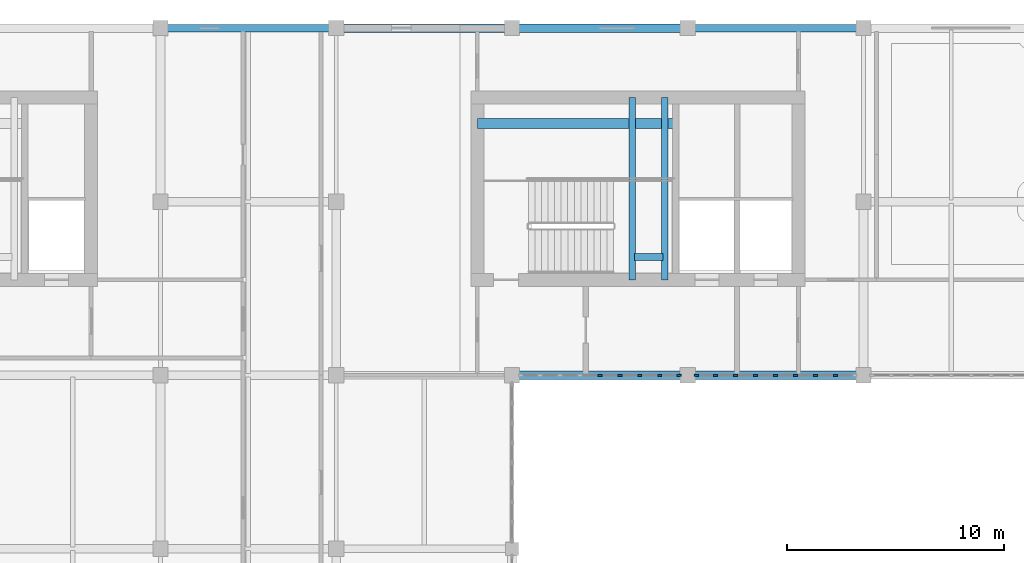
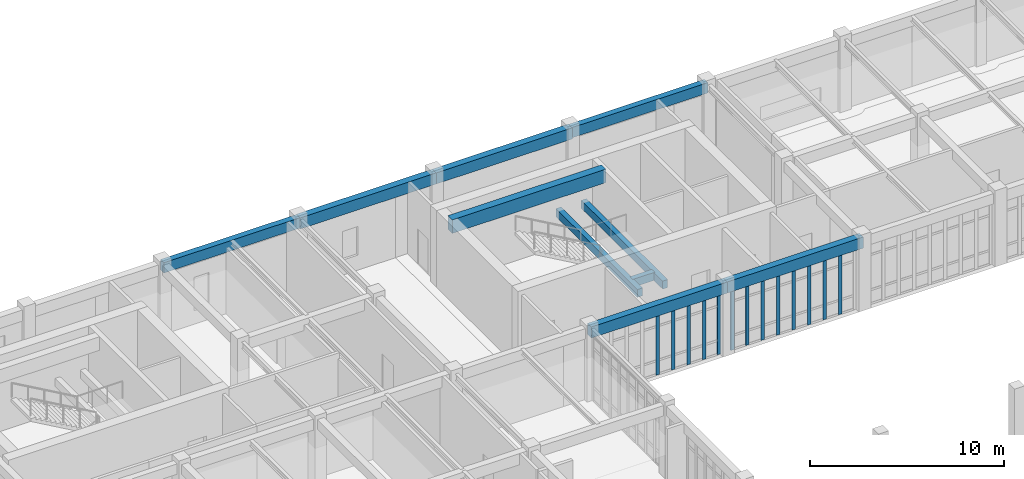
# One storey, part 14 of 61: 13 members, 10 beams, 2 elements without a shape of their own.
"""IFC4 building model written with IfcOpenShell, lengths in metres."""

from ifc_helpers import new_model, si_unit, direction, frame, origin, origin_2d, place, context, subcontext, project, spatial, rectangle, extrude, material, material_profile, profile_set, type_object, element, aggregate, save


model = new_model("IFC4")

# Units and contexts
model_context = context("Model", 3, precision=1e-05, world=origin(), true_north=direction((0.0, 1.0)))
body_context = subcontext(model_context, "Body", "Model", "MODEL_VIEW")
ifc_project = project(units=[si_unit("LENGTHUNIT", "METRE"), si_unit("AREAUNIT", "SQUARE_METRE"), si_unit("VOLUMEUNIT", "CUBIC_METRE"), si_unit("PLANEANGLEUNIT", "RADIAN"), si_unit("MASSUNIT", "GRAM", prefix="KILO")], contexts=[model_context])

# Site, building, storey
site_placement = place(None, origin())
site = spatial("IfcSite", under=ifc_project, at=site_placement, CompositionType="ELEMENT")
building_placement = place(site_placement, origin())
building = spatial("IfcBuilding", under=site, at=building_placement, Name="Tarnveldt Square Police Headquarters", CompositionType="ELEMENT")
storey_placement = place(building_placement, frame((0.0, 0.0, 5.39990234375)))
storey = spatial("IfcBuildingStorey", under=building, at=storey_placement, Name="L01", CompositionType="ELEMENT", Elevation=5.39990234375)

# Beams
ifc_material_1 = material(Name="Concrete 50 MPa", Category="concrete")
ifc_material_profile_1 = material_profile(ifc_material_1, rectangle(XDim=0.449951171875, YDim=0.85009765625, at=origin_2d()), Name="RC-CB450x850")
ifc_profile_set_1 = profile_set([ifc_material_profile_1], Name="Concrete 50 MPa")
beam_type_1 = type_object("IfcBeamType", Name="BM-CB450x850", PredefinedType="BEAM", material=ifc_profile_set_1)
beam_1_placement = place(storey_placement, frame((47.0, 107.60009765625, 4.375), z_axis=(1.0, 0.0, 0.0), x_axis=(0.0, 1.0, 0.0)))
element("IfcBeam", 1, at=beam_1_placement, inside=storey, type_object=beam_type_1, Name="Core K3 North-Central Forensic and Firefighting Core L01 Ductile Coupling Beam", PredefinedType="BEAM", context=body_context, shape_type="SweptSolid", body=[
    extrude(rectangle(XDim=0.449951171875, YDim=0.85009765625, at=origin_2d()), origin(), (0.0, 0.0, 1.0), 9.14990234375),
])
ifc_material_2 = material(Name="Concrete 40 MPa", Category="concrete")
ifc_material_profile_2 = material_profile(ifc_material_2, rectangle(XDim=0.300048828125, YDim=0.5, at=origin_2d()), Name="RC-B300x500")
ifc_profile_set_2 = profile_set([ifc_material_profile_2], Name="Concrete 40 MPa")
beam_type_2 = type_object("IfcBeamType", Name="BM-RC300x500", PredefinedType="BEAM", material=ifc_profile_set_2)
beam_2_placement = place(storey_placement, frame((54.14990234375, 100.39990234375, 1.9501953125), z_axis=(0.0, 1.0, 0.0), x_axis=(-1.0, 0.0, 0.0)))
element("IfcBeam", 2, at=beam_2_placement, inside=storey, type_object=beam_type_2, Name="ST3 L01 Half-Landing Support Beam 1", PredefinedType="BEAM", context=body_context, shape_type="SweptSolid", body=[
    extrude(rectangle(XDim=0.300048828125, YDim=0.5, at=origin_2d()), origin(), (0.0, 0.0, 1.0), 8.400146484375),
])
beam_3_placement = place(storey_placement, frame((54.25, 101.449951171875, 1.9501953125), z_axis=(1.0, 0.0, 0.0), x_axis=(0.0, 1.0, 0.0)))
element("IfcBeam", 3, at=beam_3_placement, inside=storey, type_object=beam_type_2, Name="ST3 L01 Half-Landing Support Beam 2", PredefinedType="BEAM", context=body_context, shape_type="SweptSolid", body=[
    extrude(rectangle(XDim=0.300048828125, YDim=0.5, at=origin_2d()), origin(), (0.0, 0.0, 1.0), 1.300048828125),
])
beam_4_placement = place(storey_placement, frame((55.64990234375, 100.39990234375, 1.9501953125), z_axis=(0.0, 1.0, 0.0), x_axis=(-1.0, 0.0, 0.0)))
element("IfcBeam", 4, at=beam_4_placement, inside=storey, type_object=beam_type_2, Name="ST3 L01 Half-Landing Transverse Support Beam", PredefinedType="BEAM", context=body_context, shape_type="SweptSolid", body=[
    extrude(rectangle(XDim=0.300048828125, YDim=0.5, at=origin_2d()), origin(), (0.0, 0.0, 1.0), 8.400146484375),
])
ifc_material_profile_3 = material_profile(ifc_material_2, rectangle(XDim=0.39990234375, YDim=0.699951171875, at=origin_2d()), Name="RC-B400x700")
ifc_profile_set_3 = profile_set([ifc_material_profile_3], Name="Concrete 40 MPa")
beam_type_3 = type_object("IfcBeamType", Name="BM-RC400x700", PredefinedType="BEAM", material=ifc_profile_set_3)
beam_5_placement = place(storey_placement, frame((48.60009765625, 96.0, 4.170166015625), z_axis=(1.0, 0.0, 0.0), x_axis=(0.0, 1.0, 0.0)))
element("IfcBeam", 5, at=beam_5_placement, inside=storey, type_object=beam_type_3, Name="L02 Grid Girder X-0539", PredefinedType="BEAM", context=body_context, shape_type="SweptSolid", body=[
    extrude(rectangle(XDim=0.39990234375, YDim=0.699951171875, at=origin_2d()), origin(), (0.0, 0.0, 1.0), 8.099853515625),
])
for number, where, z_axis, x_axis, name in (
    (6, (56.699951171875, 96.0, 4.170166015625), (1.0, 0.0, 0.0), (0.0, 1.0, 0.0), "L02 Grid Girder X-0540"),
    (7, (40.5, 112.0, 4.170166015625), (1.0, 0.0, 0.0), (0.0, 1.0, 0.0), "L02 Grid Girder X-0557"),
):
    element("IfcBeam", number, at=place(storey_placement, frame(where, z_axis=z_axis, x_axis=x_axis)), inside=storey, type_object=beam_type_3, Name=name, PredefinedType="BEAM", context=body_context, shape_type="SweptSolid", body=[
        extrude(rectangle(XDim=0.39990234375, YDim=0.699951171875, at=origin_2d()), origin(), (0.0, 0.0, 1.0), 8.10009765625),
    ])
beam_6_placement = place(storey_placement, frame((48.60009765625, 112.0, 4.170166015625), z_axis=(1.0, 0.0, 0.0), x_axis=(0.0, 1.0, 0.0)))
element("IfcBeam", 8, at=beam_6_placement, inside=storey, type_object=beam_type_3, Name="L02 Grid Girder X-0558", PredefinedType="BEAM", context=body_context, shape_type="SweptSolid", body=[
    extrude(rectangle(XDim=0.39990234375, YDim=0.699951171875, at=origin_2d()), origin(), (0.0, 0.0, 1.0), 8.099853515625),
])
ifc_material_profile_4 = material_profile(ifc_material_2, rectangle(XDim=0.35009765625, YDim=0.64990234375, at=origin_2d()), Name="RC-SP350x650")
ifc_profile_set_4 = profile_set([ifc_material_profile_4], Name="Concrete 40 MPa")
beam_type_4 = type_object("IfcBeamType", Name="BM-SP350x650", PredefinedType="SPANDREL", material=ifc_profile_set_4)
for number, where, z_axis, x_axis, name in (
    (9, (32.39990234375, 112.0, 4.195068359375), (1.0, 0.0, 0.0), (0.0, 1.0, 0.0), "L02 Grid Girder X-0556"),
    (10, (56.699951171875, 112.0, 4.195068359375), (1.0, 0.0, 0.0), (0.0, 1.0, 0.0), "L02 Grid Girder X-0559"),
):
    element("IfcBeam", number, at=place(storey_placement, frame(where, z_axis=z_axis, x_axis=x_axis)), inside=storey, type_object=beam_type_4, Name=name, PredefinedType="SPANDREL", context=body_context, shape_type="SweptSolid", body=[
        extrude(rectangle(XDim=0.35009765625, YDim=0.64990234375, at=origin_2d()), origin(), (0.0, 0.0, 1.0), 8.10009765625),
    ])

# Curtain wall, members
ifc_material_3 = material(Name="Triple-glazed low-e laminated vision glass", Category="glass")
curtain_wall_type = type_object("IfcCurtainWallType", Name="CW-LB-737x381", PredefinedType="USERDEFINED", material=ifc_material_3)
curtain_wall_1_placement = place(storey_placement, origin())
curtain_wall_1 = element("IfcCurtainWall", 11, at=curtain_wall_1_placement, inside=storey, type_object=curtain_wall_type, Name="L01 Curtain Wall CW-L01-105", ObjectType="GLAZED CURTAIN WALL", PredefinedType="USERDEFINED")
ifc_material_4 = material(Name="Thermally broken anodised aluminium 6063-T6", Category="aluminium")
ifc_material_profile_5 = material_profile(ifc_material_4, rectangle(XDim=0.074951171875, YDim=0.199951171875, at=origin_2d()), Name="CW-M75x200")
ifc_profile_set_5 = profile_set([ifc_material_profile_5], Name="Thermally broken anodised aluminium 6063-T6")
member_type = type_object("IfcMemberType", Name="CWM-75x200", PredefinedType="MULLION", material=ifc_profile_set_5)
member_1_placement = place(storey_placement, frame((52.64990234375, 96.0, 0.0), z_axis=(0.0, 0.0, 1.0), x_axis=(0.0, 1.0, 0.0)))
member_1 = element("IfcMember", 12, at=member_1_placement, type_object=member_type, Name="CW-LB60 mullion 5", PredefinedType="MULLION", context=body_context, shape_type="SweptSolid", body=[
    extrude(rectangle(XDim=0.074951171875, YDim=0.199951171875, at=origin_2d()), origin(), (0.0, 0.0, 1.0), 3.81201171875),
])
member_2_placement = place(storey_placement, frame((53.5712890625, 96.0, 0.0), z_axis=(0.0, 0.0, 1.0), x_axis=(0.0, 1.0, 0.0)))
member_2 = element("IfcMember", 13, at=member_2_placement, type_object=member_type, Name="CW-LB60 mullion 6", PredefinedType="MULLION", context=body_context, shape_type="SweptSolid", body=[
    extrude(rectangle(XDim=0.074951171875, YDim=0.199951171875, at=origin_2d()), origin(), (0.0, 0.0, 1.0), 3.81201171875),
])
member_3_placement = place(storey_placement, frame((54.492431640625, 96.0, 0.0), z_axis=(0.0, 0.0, 1.0), x_axis=(0.0, 1.0, 0.0)))
member_3 = element("IfcMember", 14, at=member_3_placement, type_object=member_type, Name="CW-LB60 mullion 7", PredefinedType="MULLION", context=body_context, shape_type="SweptSolid", body=[
    extrude(rectangle(XDim=0.074951171875, YDim=0.199951171875, at=origin_2d()), origin(), (0.0, 0.0, 1.0), 3.81201171875),
])
member_4_placement = place(storey_placement, frame((55.413818359375, 96.0, 0.0), z_axis=(0.0, 0.0, 1.0), x_axis=(0.0, 1.0, 0.0)))
member_4 = element("IfcMember", 15, at=member_4_placement, type_object=member_type, Name="CW-LB60 mullion 8", PredefinedType="MULLION", context=body_context, shape_type="SweptSolid", body=[
    extrude(rectangle(XDim=0.074951171875, YDim=0.199951171875, at=origin_2d()), origin(), (0.0, 0.0, 1.0), 3.81201171875),
])
member_5_placement = place(storey_placement, frame((56.297607421875, 96.0, 0.0), z_axis=(0.0, 0.0, 1.0), x_axis=(0.0, 1.0, 0.0)))
member_5 = element("IfcMember", 16, at=member_5_placement, type_object=member_type, Name="CW-LB60 mullion 9", PredefinedType="MULLION", context=body_context, shape_type="SweptSolid", body=[
    extrude(rectangle(XDim=0.074951171875, YDim=0.199951171875, at=origin_2d()), origin(), (0.0, 0.0, 1.0), 3.81201171875),
])
aggregate(curtain_wall_1, [member_1, member_2, member_3, member_4, member_5])

curtain_wall_2_placement = place(storey_placement, origin())
curtain_wall_2 = element("IfcCurtainWall", 17, at=curtain_wall_2_placement, inside=storey, type_object=curtain_wall_type, Name="L01 Curtain Wall CW-L01-106", ObjectType="GLAZED CURTAIN WALL", PredefinedType="USERDEFINED")
member_6_placement = place(storey_placement, frame((57.1025390625, 96.0, 0.0), z_axis=(0.0, 0.0, 1.0), x_axis=(0.0, 1.0, 0.0)))
member_6 = element("IfcMember", 18, at=member_6_placement, type_object=member_type, Name="CW-LB60 mullion 1", PredefinedType="MULLION", context=body_context, shape_type="SweptSolid", body=[
    extrude(rectangle(XDim=0.074951171875, YDim=0.199951171875, at=origin_2d()), origin(), (0.0, 0.0, 1.0), 3.81201171875),
])
member_7_placement = place(storey_placement, frame((57.986328125, 96.0, 0.0), z_axis=(0.0, 0.0, 1.0), x_axis=(0.0, 1.0, 0.0)))
member_7 = element("IfcMember", 19, at=member_7_placement, type_object=member_type, Name="CW-LB60 mullion 2", PredefinedType="MULLION", context=body_context, shape_type="SweptSolid", body=[
    extrude(rectangle(XDim=0.074951171875, YDim=0.199951171875, at=origin_2d()), origin(), (0.0, 0.0, 1.0), 3.81201171875),
])
member_8_placement = place(storey_placement, frame((58.907470703125, 96.0, 0.0), z_axis=(0.0, 0.0, 1.0), x_axis=(0.0, 1.0, 0.0)))
member_8 = element("IfcMember", 20, at=member_8_placement, type_object=member_type, Name="CW-LB60 mullion 3", PredefinedType="MULLION", context=body_context, shape_type="SweptSolid", body=[
    extrude(rectangle(XDim=0.074951171875, YDim=0.199951171875, at=origin_2d()), origin(), (0.0, 0.0, 1.0), 3.81201171875),
])
member_9_placement = place(storey_placement, frame((59.828857421875, 96.0, 0.0), z_axis=(0.0, 0.0, 1.0), x_axis=(0.0, 1.0, 0.0)))
member_9 = element("IfcMember", 21, at=member_9_placement, type_object=member_type, Name="CW-LB60 mullion 4", PredefinedType="MULLION", context=body_context, shape_type="SweptSolid", body=[
    extrude(rectangle(XDim=0.074951171875, YDim=0.199951171875, at=origin_2d()), origin(), (0.0, 0.0, 1.0), 3.81201171875),
])
member_10_placement = place(storey_placement, frame((60.75, 96.0, 0.0), z_axis=(0.0, 0.0, 1.0), x_axis=(0.0, 1.0, 0.0)))
member_10 = element("IfcMember", 22, at=member_10_placement, type_object=member_type, Name="CW-LB60 mullion 5", PredefinedType="MULLION", context=body_context, shape_type="SweptSolid", body=[
    extrude(rectangle(XDim=0.074951171875, YDim=0.199951171875, at=origin_2d()), origin(), (0.0, 0.0, 1.0), 3.81201171875),
])
member_11_placement = place(storey_placement, frame((61.671142578125, 96.0, 0.0), z_axis=(0.0, 0.0, 1.0), x_axis=(0.0, 1.0, 0.0)))
member_11 = element("IfcMember", 23, at=member_11_placement, type_object=member_type, Name="CW-LB60 mullion 6", PredefinedType="MULLION", context=body_context, shape_type="SweptSolid", body=[
    extrude(rectangle(XDim=0.074951171875, YDim=0.199951171875, at=origin_2d()), origin(), (0.0, 0.0, 1.0), 3.81201171875),
])
member_12_placement = place(storey_placement, frame((62.592529296875, 96.0, 0.0), z_axis=(0.0, 0.0, 1.0), x_axis=(0.0, 1.0, 0.0)))
member_12 = element("IfcMember", 24, at=member_12_placement, type_object=member_type, Name="CW-LB60 mullion 7", PredefinedType="MULLION", context=body_context, shape_type="SweptSolid", body=[
    extrude(rectangle(XDim=0.074951171875, YDim=0.199951171875, at=origin_2d()), origin(), (0.0, 0.0, 1.0), 3.81201171875),
])
member_13_placement = place(storey_placement, frame((63.513671875, 96.0, 0.0), z_axis=(0.0, 0.0, 1.0), x_axis=(0.0, 1.0, 0.0)))
member_13 = element("IfcMember", 25, at=member_13_placement, type_object=member_type, Name="CW-LB60 mullion 8", PredefinedType="MULLION", context=body_context, shape_type="SweptSolid", body=[
    extrude(rectangle(XDim=0.074951171875, YDim=0.199951171875, at=origin_2d()), origin(), (0.0, 0.0, 1.0), 3.81201171875),
])
aggregate(curtain_wall_2, [member_6, member_7, member_8, member_9, member_10, member_11, member_12, member_13])

save(model, "model.ifc")
